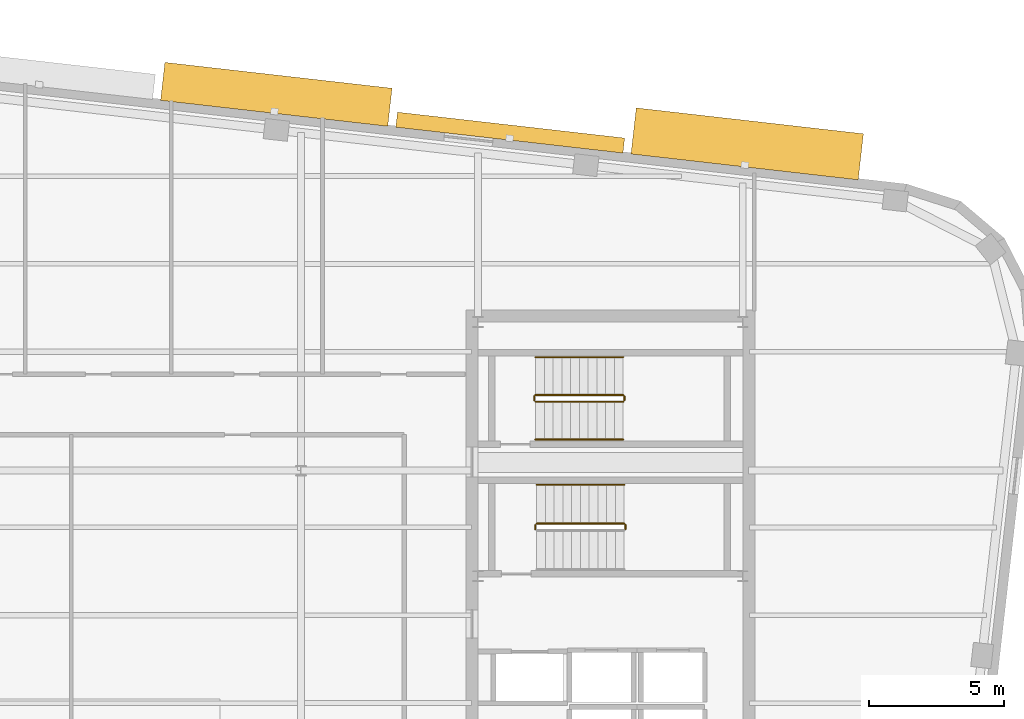
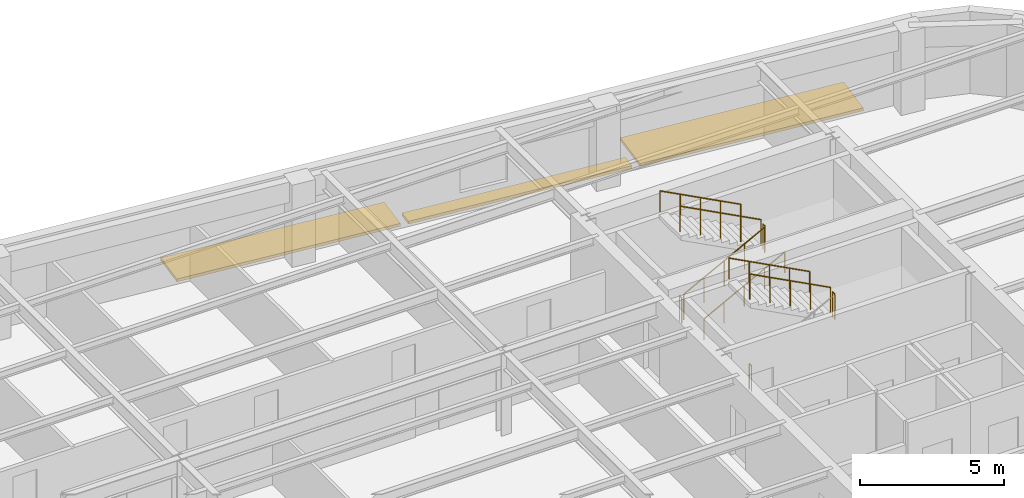
# One storey, part 13 of 13: 10 railings, 3 shading devices.
"""IFC4 building model written with IfcOpenShell, lengths in metres."""

from ifc_helpers import new_model, si_unit, direction, frame, origin, origin_2d, place, context, subcontext, project, spatial, rectangle, circle, extrude, material, type_object, element, save


model = new_model("IFC4")

# Units and contexts
model_context = context("Model", 3, precision=1e-05, world=origin(), true_north=direction((0.0, 1.0)))
body_context = subcontext(model_context, "Body", "Model", "MODEL_VIEW")
ifc_project = project(units=[si_unit("LENGTHUNIT", "METRE"), si_unit("AREAUNIT", "SQUARE_METRE"), si_unit("VOLUMEUNIT", "CUBIC_METRE"), si_unit("PLANEANGLEUNIT", "RADIAN"), si_unit("MASSUNIT", "GRAM", prefix="KILO")], contexts=[model_context])

# Site, building, storey
site_placement = place(None, origin())
site = spatial("IfcSite", under=ifc_project, at=site_placement, CompositionType="ELEMENT")
building_placement = place(site_placement, origin())
building = spatial("IfcBuilding", under=site, at=building_placement, Name="Kolvaren Arena Tower", CompositionType="ELEMENT")
storey_placement = place(building_placement, frame((0.0, 0.0, 250.949951171875)))
storey = spatial("IfcBuildingStorey", under=building, at=storey_placement, Name="L61", CompositionType="ELEMENT", Elevation=250.949951171875)

# Railings
ifc_material_1 = material(Name="Painted galvanized steel", Category="steel")
railing_type_1 = type_object("IfcRailingType", Name="GUARD-ST-110", PredefinedType="GUARDRAIL", material=ifc_material_1)
railing_1_placement = place(storey_placement, frame((56.010009765625, 31.68994140625, 1.875)))
element("IfcRailing", 1, at=railing_1_placement, inside=storey, type_object=railing_type_1, Name="L61 ST-E1 stair guard 2", PredefinedType="GUARDRAIL", context=body_context, shape_type="SweptSolid", body=[
    extrude(circle(Radius=0.02392578125, at=origin_2d()), frame((0.0, 0.0, 1.076171875), z_axis=(0.0, 1.0, 0.0), x_axis=(-1.0, 0.0, 0.0)), (0.0, 0.0, 1.0), 0.150146484375),
    extrude(circle(Radius=0.02099609375, at=origin_2d()), origin(), (0.0, 0.0, 1.0), 1.052001953125),
    extrude(circle(Radius=0.02099609375, at=origin_2d()), frame((0.0, 0.150146484375, 0.0)), (0.0, 0.0, 1.0), 1.052001953125),
])
railing_2_placement = place(storey_placement, frame((55.9599609375, 31.889892578125, 2.04541015625)))
element("IfcRailing", 2, at=railing_2_placement, inside=storey, type_object=railing_type_1, Name="L61 ST-E1 stair guard 3", PredefinedType="GUARDRAIL", context=body_context, shape_type="SweptSolid", body=[
    extrude(circle(Radius=0.02392578125, at=origin_2d()), frame((0.0, 0.0, 1.076171875), z_axis=(-0.884993431791, 0.0, 0.465603506952), x_axis=(0.0, -1.0, 0.0)), (0.0, 0.0, 1.0), 3.6611328125),
    extrude(circle(Radius=0.02099609375, at=origin_2d()), origin(), (0.0, 0.0, 1.0), 1.052001953125),
    extrude(circle(Radius=0.02099609375, at=origin_2d()), frame((-0.81005859375, 0.0, 0.42626953125)), (0.0, 0.0, 1.0), 1.052001953125),
    extrude(circle(Radius=0.02099609375, at=origin_2d()), frame((-1.6201171875, 0.0, 0.852294921875)), (0.0, 0.0, 1.0), 1.052001953125),
    extrude(circle(Radius=0.02099609375, at=origin_2d()), frame((-2.429931640625, 0.0, 1.2783203125)), (0.0, 0.0, 1.0), 1.052001953125),
    extrude(circle(Radius=0.02099609375, at=origin_2d()), frame((-3.239990234375, 0.0, 1.70458984375)), (0.0, 0.0, 1.0), 1.052001953125),
])
railing_3_placement = place(storey_placement, frame((52.669921875, 31.68994140625, 0.0)))
element("IfcRailing", 3, at=railing_3_placement, inside=storey, type_object=railing_type_1, Name="L61 ST-E1 stair guard 4", PredefinedType="GUARDRAIL", context=body_context, shape_type="SweptSolid", body=[
    extrude(circle(Radius=0.02392578125, at=origin_2d()), frame((0.0, 0.0, 1.076171875), z_axis=(0.0, 1.0, 0.0), x_axis=(-1.0, 0.0, 0.0)), (0.0, 0.0, 1.0), 0.150146484375),
    extrude(circle(Radius=0.02099609375, at=origin_2d()), origin(), (0.0, 0.0, 1.0), 1.052001953125),
    extrude(circle(Radius=0.02099609375, at=origin_2d()), frame((0.0, 0.150146484375, 0.0)), (0.0, 0.0, 1.0), 1.052001953125),
])
railing_4_placement = place(storey_placement, frame((52.679931640625, 36.39990234375, 0.17041015625)))
element("IfcRailing", 4, at=railing_4_placement, inside=storey, type_object=railing_type_1, Name="L61 ST-E2 stair guard 1", PredefinedType="GUARDRAIL", context=body_context, shape_type="SweptSolid", body=[
    extrude(circle(Radius=0.02392578125, at=origin_2d()), frame((0.0, 0.0, 1.076171875), z_axis=(0.884993431791, 0.0, 0.465603506952), x_axis=(0.0, 1.0, 0.0)), (0.0, 0.0, 1.0), 3.6611328125),
    extrude(circle(Radius=0.02099609375, at=origin_2d()), origin(), (0.0, 0.0, 1.0), 1.052001953125),
    extrude(circle(Radius=0.02099609375, at=origin_2d()), frame((0.81005859375, 0.0, 0.42626953125)), (0.0, 0.0, 1.0), 1.052001953125),
    extrude(circle(Radius=0.02099609375, at=origin_2d()), frame((1.6201171875, 0.0, 0.852294921875)), (0.0, 0.0, 1.0), 1.052001953125),
    extrude(circle(Radius=0.02099609375, at=origin_2d()), frame((2.429931640625, 0.0, 1.2783203125)), (0.0, 0.0, 1.0), 1.052001953125),
    extrude(circle(Radius=0.02099609375, at=origin_2d()), frame((3.239990234375, 0.0, 1.70458984375)), (0.0, 0.0, 1.0), 1.052001953125),
])
railing_5_placement = place(storey_placement, frame((55.969970703125, 36.449951171875, 1.875)))
element("IfcRailing", 5, at=railing_5_placement, inside=storey, type_object=railing_type_1, Name="L61 ST-E2 stair guard 2", PredefinedType="GUARDRAIL", context=body_context, shape_type="SweptSolid", body=[
    extrude(circle(Radius=0.02392578125, at=origin_2d()), frame((0.0, 0.0, 1.076171875), z_axis=(0.0, 1.0, 0.0), x_axis=(-1.0, 0.0, 0.0)), (0.0, 0.0, 1.0), 0.150146484375),
    extrude(circle(Radius=0.02099609375, at=origin_2d()), origin(), (0.0, 0.0, 1.0), 1.052001953125),
    extrude(circle(Radius=0.02099609375, at=origin_2d()), frame((0.0, 0.150146484375, 0.0)), (0.0, 0.0, 1.0), 1.052001953125),
])
railing_6_placement = place(storey_placement, frame((55.919921875, 36.64990234375, 2.04541015625)))
element("IfcRailing", 6, at=railing_6_placement, inside=storey, type_object=railing_type_1, Name="L61 ST-E2 stair guard 3", PredefinedType="GUARDRAIL", context=body_context, shape_type="SweptSolid", body=[
    extrude(circle(Radius=0.02392578125, at=origin_2d()), frame((0.0, 0.0, 1.076171875), z_axis=(-0.884993431791, 0.0, 0.465603506952), x_axis=(0.0, -1.0, 0.0)), (0.0, 0.0, 1.0), 3.6611328125),
    extrude(circle(Radius=0.02099609375, at=origin_2d()), origin(), (0.0, 0.0, 1.0), 1.052001953125),
    extrude(circle(Radius=0.02099609375, at=origin_2d()), frame((-0.81005859375, 0.0, 0.42626953125)), (0.0, 0.0, 1.0), 1.052001953125),
    extrude(circle(Radius=0.02099609375, at=origin_2d()), frame((-1.6201171875, 0.0, 0.852294921875)), (0.0, 0.0, 1.0), 1.052001953125),
    extrude(circle(Radius=0.02099609375, at=origin_2d()), frame((-2.429931640625, 0.0, 1.2783203125)), (0.0, 0.0, 1.0), 1.052001953125),
    extrude(circle(Radius=0.02099609375, at=origin_2d()), frame((-3.239990234375, 0.0, 1.70458984375)), (0.0, 0.0, 1.0), 1.052001953125),
])
railing_7_placement = place(storey_placement, frame((52.6298828125, 36.449951171875, 0.0)))
element("IfcRailing", 7, at=railing_7_placement, inside=storey, type_object=railing_type_1, Name="L61 ST-E2 stair guard 4", PredefinedType="GUARDRAIL", context=body_context, shape_type="SweptSolid", body=[
    extrude(circle(Radius=0.02392578125, at=origin_2d()), frame((0.0, 0.0, 1.076171875), z_axis=(0.0, 1.0, 0.0), x_axis=(-1.0, 0.0, 0.0)), (0.0, 0.0, 1.0), 0.150146484375),
    extrude(circle(Radius=0.02099609375, at=origin_2d()), origin(), (0.0, 0.0, 1.0), 1.052001953125),
    extrude(circle(Radius=0.02099609375, at=origin_2d()), frame((0.0, 0.150146484375, 0.0)), (0.0, 0.0, 1.0), 1.052001953125),
])
ifc_material_2 = material(Name="Brushed stainless steel handrail", Category="steel")
railing_type_2 = type_object("IfcRailingType", Name="HRAIL-900", PredefinedType="HANDRAIL", material=ifc_material_2)
railing_8_placement = place(storey_placement, frame((55.9599609375, 33.330078125, 2.04541015625)))
element("IfcRailing", 8, at=railing_8_placement, inside=storey, type_object=railing_type_2, Name="L61 ST-E1 stair handrail 2", PredefinedType="HANDRAIL", context=body_context, shape_type="SweptSolid", body=[
    extrude(circle(Radius=0.02392578125, at=origin_2d()), frame((0.0, 0.0, 0.8759765625), z_axis=(-0.884993431791, 0.0, 0.465603506952), x_axis=(0.0, -1.0, 0.0)), (0.0, 0.0, 1.0), 3.6611328125),
    extrude(circle(Radius=0.02099609375, at=origin_2d()), origin(), (0.0, 0.0, 1.0), 0.851806640625),
    extrude(circle(Radius=0.02099609375, at=origin_2d()), frame((-0.81005859375, 0.0, 0.42626953125)), (0.0, 0.0, 1.0), 0.851806640625),
    extrude(circle(Radius=0.02099609375, at=origin_2d()), frame((-1.6201171875, 0.0, 0.852294921875)), (0.0, 0.0, 1.0), 0.851806640625),
    extrude(circle(Radius=0.02099609375, at=origin_2d()), frame((-2.429931640625, 0.0, 1.2783203125)), (0.0, 0.0, 1.0), 0.851806640625),
    extrude(circle(Radius=0.02099609375, at=origin_2d()), frame((-3.239990234375, 0.0, 1.70458984375)), (0.0, 0.0, 1.0), 0.851806640625),
])
railing_9_placement = place(storey_placement, frame((52.679931640625, 35.0, 0.17041015625)))
element("IfcRailing", 9, at=railing_9_placement, inside=storey, type_object=railing_type_2, Name="L61 ST-E2 stair handrail 1", PredefinedType="HANDRAIL", context=body_context, shape_type="SweptSolid", body=[
    extrude(circle(Radius=0.02392578125, at=origin_2d()), frame((0.0, 0.0, 0.8759765625), z_axis=(0.884993431791, 0.0, 0.465603506952), x_axis=(0.0, 1.0, 0.0)), (0.0, 0.0, 1.0), 3.6611328125),
    extrude(circle(Radius=0.02099609375, at=origin_2d()), origin(), (0.0, 0.0, 1.0), 0.851806640625),
    extrude(circle(Radius=0.02099609375, at=origin_2d()), frame((0.81005859375, 0.0, 0.42626953125)), (0.0, 0.0, 1.0), 0.851806640625),
    extrude(circle(Radius=0.02099609375, at=origin_2d()), frame((1.6201171875, 0.0, 0.852294921875)), (0.0, 0.0, 1.0), 0.851806640625),
    extrude(circle(Radius=0.02099609375, at=origin_2d()), frame((2.429931640625, 0.0, 1.2783203125)), (0.0, 0.0, 1.0), 0.851806640625),
    extrude(circle(Radius=0.02099609375, at=origin_2d()), frame((3.239990234375, 0.0, 1.70458984375)), (0.0, 0.0, 1.0), 0.851806640625),
])
railing_10_placement = place(storey_placement, frame((55.919921875, 38.050048828125, 2.04541015625)))
element("IfcRailing", 10, at=railing_10_placement, inside=storey, type_object=railing_type_2, Name="L61 ST-E2 stair handrail 2", PredefinedType="HANDRAIL", context=body_context, shape_type="SweptSolid", body=[
    extrude(circle(Radius=0.02392578125, at=origin_2d()), frame((0.0, 0.0, 0.8759765625), z_axis=(-0.884993431791, 0.0, 0.465603506952), x_axis=(0.0, -1.0, 0.0)), (0.0, 0.0, 1.0), 3.6611328125),
    extrude(circle(Radius=0.02099609375, at=origin_2d()), origin(), (0.0, 0.0, 1.0), 0.851806640625),
    extrude(circle(Radius=0.02099609375, at=origin_2d()), frame((-0.81005859375, 0.0, 0.42626953125)), (0.0, 0.0, 1.0), 0.851806640625),
    extrude(circle(Radius=0.02099609375, at=origin_2d()), frame((-1.6201171875, 0.0, 0.852294921875)), (0.0, 0.0, 1.0), 0.851806640625),
    extrude(circle(Radius=0.02099609375, at=origin_2d()), frame((-2.429931640625, 0.0, 1.2783203125)), (0.0, 0.0, 1.0), 0.851806640625),
    extrude(circle(Radius=0.02099609375, at=origin_2d()), frame((-3.239990234375, 0.0, 1.70458984375)), (0.0, 0.0, 1.0), 0.851806640625),
])

# Shading devices
ifc_material_3 = material(Name="Architectural precast GFRC and anodised aluminium sunshade", Category="concrete")
shading_device_type_1 = type_object("IfcShadingDeviceType", Name="SHAD-SINE-A", PredefinedType="USERDEFINED", material=ifc_material_3)
shading_device_1_placement = place(storey_placement, frame((51.74462890625, 46.3583984375, -0.139892578125), z_axis=(0.0, 0.0, 1.0), x_axis=(0.993571658098, -0.113204947878, 0.0)))
element("IfcShadingDevice", 11, at=shading_device_1_placement, inside=storey, type_object=shading_device_type_1, Name="Sinusoidal Slab-Edge Sunshade Louvre (L61)", ObjectType="LOUVRE", PredefinedType="USERDEFINED", context=body_context, shape_type="SweptSolid", body=[
    extrude(rectangle(XDim=8.4599609375, YDim=0.560302734375, at=origin_2d()), origin(), (0.0, 0.0, 1.0), 0.1201171875),
])
shading_device_type_2 = type_object("IfcShadingDeviceType", Name="SHAD-SINE-B", PredefinedType="JALOUSIE", material=ifc_material_3)
shading_device_2_placement = place(storey_placement, frame((43.089599609375, 47.775390625, -0.139892578125), z_axis=(0.0, 0.0, 1.0), x_axis=(0.993571658098, -0.113204947878, 0.0)))
element("IfcShadingDevice", 12, at=shading_device_2_placement, inside=storey, type_object=shading_device_type_2, Name="Sinusoidal Slab-Edge Sunshade Louvre (L61)", PredefinedType="JALOUSIE", context=body_context, shape_type="SweptSolid", body=[
    extrude(rectangle(XDim=8.4599609375, YDim=1.416748046875, at=origin_2d()), origin(), (0.0, 0.0, 1.0), 0.1201171875),
])
shading_device_3_placement = place(storey_placement, frame((60.513916015625, 45.94140625, -0.139892578125), z_axis=(0.0, 0.0, 1.0), x_axis=(0.993571658098, -0.113204947878, 0.0)))
element("IfcShadingDevice", 13, at=shading_device_3_placement, inside=storey, type_object=shading_device_type_2, Name="Sinusoidal Slab-Edge Sunshade Louvre (L61)", PredefinedType="JALOUSIE", context=body_context, shape_type="SweptSolid", body=[
    extrude(rectangle(XDim=8.4599609375, YDim=1.717041015625, at=origin_2d()), origin(), (0.0, 0.0, 1.0), 0.1201171875),
])

save(model, "model.ifc")
